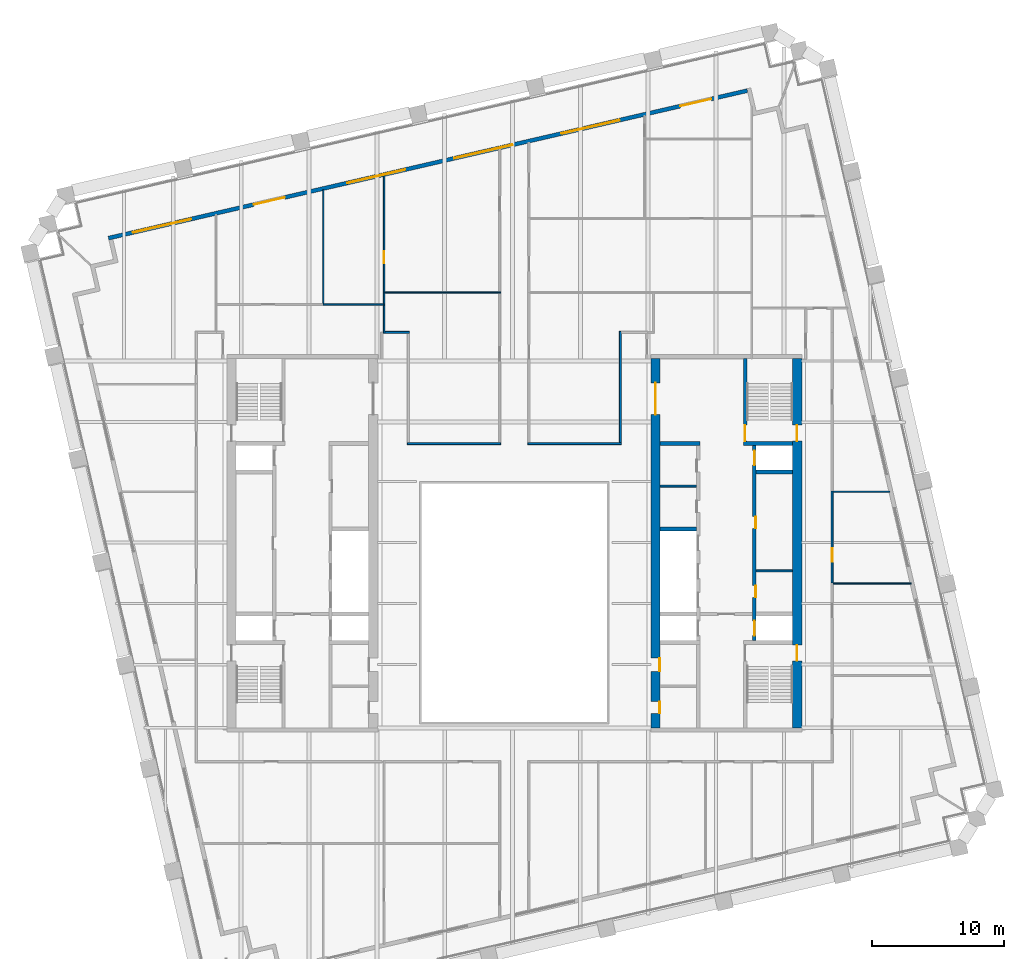
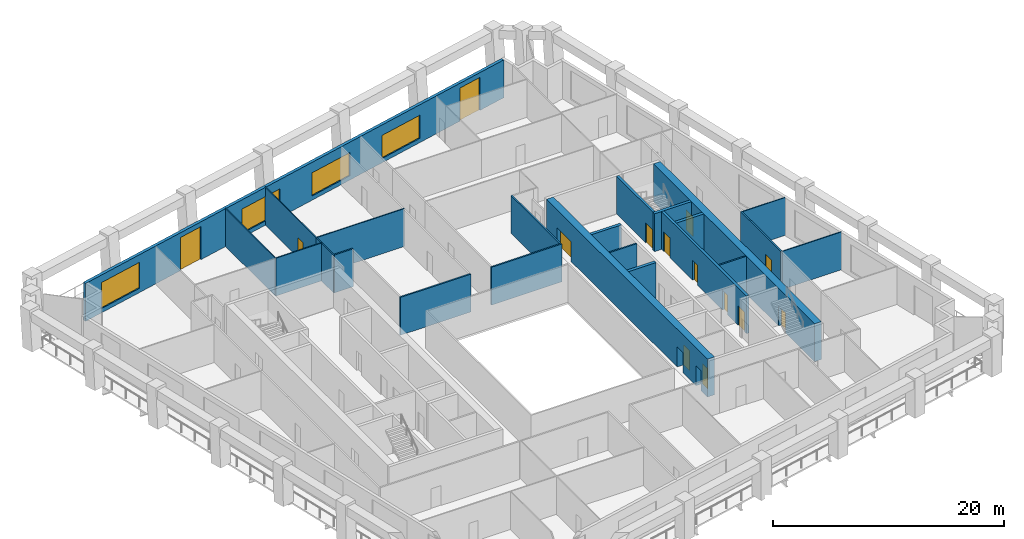
# One storey, part 7 of 10: 24 walls, 14 doors, 4 windows, 18 openings.
"""IFC4 building model written with IfcOpenShell, lengths in metres."""

import ifcopenshell
import ifcopenshell.guid

model = None  # the IFC model being written
_history = None  # IfcOwnerHistory: only IFC2X3 demands one
_inside = {}  # id of a spatial element -> (the spatial element, [elements in it])
_under = {}  # id of a project, library or spatial element -> (it, [spatial elements below it])
_declared = {}  # id of a project -> (the project, [libraries it declares])
_typed = {}  # id of a type object -> (the type object, [elements of that type])
_made_of = {}  # id of a material, layer set ... -> (it, [elements and type objects made of it])


def new_model(schema):
    """Start an empty IFC model of exactly this schema.

    Asked for "IFC4X3", IfcOpenShell would pick the latest addendum, in which some entities
    have other attributes; the version numbers below select the first issue.
    IFC2X3 requires an IfcOwnerHistory on every rooted entity: one is made here for all.
    """
    global model, _history
    if schema == "IFC4X3":
        model = ifcopenshell.file(schema_version=(4, 3, 0, 0))
    else:
        model = ifcopenshell.file(schema=schema)
    _inside.clear()
    _under.clear()
    _declared.clear()
    _typed.clear()
    _made_of.clear()
    _history = None
    if model.schema == "IFC2X3":
        org = make("IfcOrganization", Name="unknown")
        user = make(
            "IfcPersonAndOrganization",
            ThePerson=make("IfcPerson", FamilyName="unknown"),
            TheOrganization=org,
        )
        app = make(
            "IfcApplication",
            ApplicationDeveloper=org,
            Version="unknown",
            ApplicationFullName="unknown",
            ApplicationIdentifier="unknown",
        )
        _history = make(
            "IfcOwnerHistory",
            OwningUser=user,
            OwningApplication=app,
            ChangeAction="ADDED",
            CreationDate=0,
        )
    return model


def make(cls, **values):
    """One entity of the class cls with the attributes given. An attribute that is None is left unset."""
    return model.create_entity(
        cls, **{name: value for name, value in values.items() if value is not None}
    )


def rooted(cls, **values):
    """An entity with a GlobalId (a new one), such as an element, a storey or a relation."""
    return make(cls, GlobalId=ifcopenshell.guid.new(), OwnerHistory=_history, **values)


def si_unit(unit_type, name, prefix=None):
    """IfcSIUnit, for example si_unit("LENGTHUNIT", "METRE", prefix="MILLI")."""
    return make("IfcSIUnit", UnitType=unit_type, Prefix=prefix, Name=name)


def assignment(units):
    """IfcUnitAssignment: the units of a project."""
    return None if units is None else make("IfcUnitAssignment", Units=units)


def point(xyz):
    """IfcCartesianPoint."""
    return None if xyz is None else make("IfcCartesianPoint", Coordinates=xyz)


def direction(xyz):
    """IfcDirection."""
    return None if xyz is None else make("IfcDirection", DirectionRatios=xyz)


def frame(location, z_axis=None, x_axis=None):
    """IfcAxis2Placement3D, a coordinate frame: its origin and axes. An axis left out is left unset."""
    return make(
        "IfcAxis2Placement3D",
        Location=point(location),
        Axis=direction(z_axis),
        RefDirection=direction(x_axis),
    )


def frame_2d(location, x_axis=None):
    """IfcAxis2Placement2D, a coordinate frame in the plane: its origin and x axis."""
    return make(
        "IfcAxis2Placement2D", Location=point(location), RefDirection=direction(x_axis)
    )


def origin():
    """The frame at (0, 0, 0) with its axes left unset."""
    return frame((0.0, 0.0, 0.0))


def place(relative_to, where):
    """IfcLocalPlacement: puts the frame where relative to a parent placement (None: the world)."""
    return make(
        "IfcLocalPlacement", PlacementRelTo=relative_to, RelativePlacement=where
    )


def context(
    kind, dimensions, precision=None, world=None, true_north=None, identifier=None
):
    """IfcGeometricRepresentationContext, for example the 3D "Model" context."""
    return make(
        "IfcGeometricRepresentationContext",
        ContextIdentifier=identifier,
        ContextType=kind,
        CoordinateSpaceDimension=dimensions,
        Precision=precision,
        WorldCoordinateSystem=world,
        TrueNorth=true_north,
    )


def subcontext(parent, identifier, kind, view, scale=None):
    """IfcGeometricRepresentationSubContext, for example "Body" below "Model"."""
    return make(
        "IfcGeometricRepresentationSubContext",
        ContextIdentifier=identifier,
        ContextType=kind,
        ParentContext=parent,
        TargetScale=scale,
        TargetView=view,
    )


def project(units=None, contexts=None):
    """IfcProject with its units and contexts."""
    return rooted(
        "IfcProject",
        Name="project",
        RepresentationContexts=contexts,
        UnitsInContext=assignment(units),
    )


def spatial(cls, under=None, at=None, **own):
    """A site, building, storey or space (cls), placed at a placement, below another one or the project."""
    s = rooted(cls, ObjectPlacement=at, **own)
    if under is not None:
        _under.setdefault(under.id(), (under, []))[1].append(s)
    return s


def profile(cls, at=None, kind="AREA", **sizes):
    """A parametric profile (cls). Its sizes go by their IFC names, for example OverallWidth=200.0."""
    return make(cls, ProfileType=kind, Position=at, **sizes)


def rectangle(**sizes):
    """IfcRectangleProfileDef."""
    return profile("IfcRectangleProfileDef", **sizes)


def extrude(swept, where, along, depth):
    """IfcExtrudedAreaSolid: the profile swept, set in the frame where, extruded along a direction by depth."""
    return make(
        "IfcExtrudedAreaSolid",
        SweptArea=swept,
        Position=where,
        ExtrudedDirection=direction(along),
        Depth=depth,
    )


def shape(context_of_items, identifier, shape_type, items):
    """IfcShapeRepresentation: the items that make up one representation, for example the "Body"."""
    return make(
        "IfcShapeRepresentation",
        ContextOfItems=context_of_items,
        RepresentationIdentifier=identifier,
        RepresentationType=shape_type,
        Items=items,
    )


def material(Name=None, Category=None):
    """IfcMaterial."""
    return make("IfcMaterial", Name=Name, Category=Category)


def layer(
    of_material, thickness, ventilated=None, Name=None, Category=None, Priority=None
):
    """IfcMaterialLayer: one layer of a wall or slab, of a material (None: an air gap)."""
    return make(
        "IfcMaterialLayer",
        Material=of_material,
        LayerThickness=thickness,
        IsVentilated=ventilated,
        Name=Name,
        Category=Category,
        Priority=Priority,
    )


def layer_set(layers, Name=None):
    """IfcMaterialLayerSet."""
    return make("IfcMaterialLayerSet", MaterialLayers=layers, LayerSetName=Name)


def made_of(thing, what):
    """Note that an element or type object is made of a material, layer set ...; save() writes the relation."""
    if what is not None:
        _made_of.setdefault(what.id(), (what, []))[1].append(thing)
    return thing


def type_object(cls, material=None, **own):
    """A type object (cls), such as IfcWallType, which elements share."""
    return made_of(rooted(cls, **own), material)


def element(
    cls,
    number,
    at=None,
    inside=None,
    cuts=None,
    type_object=None,
    material=None,
    context=None,
    identifier="Body",
    shape_type=None,
    held_by="IfcProductDefinitionShape",
    body=None,
    shapes=None,
    **own,
):
    """One element of the class cls, such as IfcWall. Its Tag is "e" and its number.

    at: its placement. inside: the storey or other place that contains it. cuts: it is an
    opening in that element (IfcRelVoidsElement). A single representation is given by context,
    identifier, shape_type and body (its items); several are given by shapes. held_by: the class
    of the entity that holds the representations. save() writes the other relations.
    """
    e = rooted(cls, Tag="e%d" % number, ObjectPlacement=at, **own)
    if body is not None:
        shapes = [shape(context, identifier, shape_type, body)]
    if shapes is not None:
        e.Representation = make(held_by, Representations=shapes)
    if inside is not None:
        _inside.setdefault(inside.id(), (inside, []))[1].append(e)
    if cuts is not None:
        rooted(
            "IfcRelVoidsElement", RelatingBuildingElement=cuts, RelatedOpeningElement=e
        )
    if type_object is not None:
        _typed.setdefault(type_object.id(), (type_object, []))[1].append(e)
    return made_of(e, material)


def fill(opening, filler):
    """IfcRelFillsElement: the door or window that sits in an opening."""
    return rooted(
        "IfcRelFillsElement",
        RelatingOpeningElement=opening,
        RelatedBuildingElement=filler,
    )


def aggregate(whole, parts):
    """IfcRelAggregates: a whole, such as a stair, and the parts it consists of."""
    return rooted("IfcRelAggregates", RelatingObject=whole, RelatedObjects=parts)


def save(model, path):
    """Write the relations noted so far, then the file.

    IfcRelAggregates (storeys below a building ...), IfcRelContainedInSpatialStructure (elements
    in a storey), IfcRelDefinesByType, IfcRelAssociatesMaterial and IfcRelDeclares: one each for
    every whole, place, type object, material and project.
    """
    for whole, parts in _under.values():
        aggregate(whole, parts)
    for where, things in _inside.values():
        rooted(
            "IfcRelContainedInSpatialStructure",
            RelatedElements=things,
            RelatingStructure=where,
        )
    for kind, things in _typed.values():
        rooted("IfcRelDefinesByType", RelatedObjects=things, RelatingType=kind)
    for what, things in _made_of.values():
        rooted("IfcRelAssociatesMaterial", RelatedObjects=things, RelatingMaterial=what)
    for by, libraries in _declared.values():
        rooted("IfcRelDeclares", RelatingContext=by, RelatedDefinitions=libraries)
    model.write(path)


model = new_model("IFC4")

# Units and contexts
model_context = context("Model", 3, precision=1e-05, world=origin(), true_north=direction((0.0, 1.0)))
body_context = subcontext(model_context, "Body", "Model", "MODEL_VIEW")
ifc_project = project(units=[si_unit("LENGTHUNIT", "METRE"), si_unit("AREAUNIT", "SQUARE_METRE"), si_unit("VOLUMEUNIT", "CUBIC_METRE"), si_unit("PLANEANGLEUNIT", "RADIAN"), si_unit("MASSUNIT", "GRAM", prefix="KILO")], contexts=[model_context])

# Site, building, storey
site_placement = place(None, origin())
site = spatial("IfcSite", under=ifc_project, at=site_placement, CompositionType="ELEMENT")
building_placement = place(site_placement, origin())
building = spatial("IfcBuilding", under=site, at=building_placement, Name="Ogive Exchange Tower", CompositionType="ELEMENT")
storey_placement = place(building_placement, frame((0.0, 0.0, 180.0)))
storey = spatial("IfcBuildingStorey", under=building, at=storey_placement, Name="L39", CompositionType="ELEMENT", Elevation=180.0)

# Walls
ifc_material_1 = material(Name="Gypsum board partition")
ifc_layer_1 = layer(ifc_material_1, 0.14990234375)
ifc_layer_set_1 = layer_set([ifc_layer_1], Name="Core room partition 150 gypsum")
wall_type_1 = type_object("IfcWallType", Name="Core room partition 150 gypsum", PredefinedType="PARTITIONING", material=ifc_layer_set_1)
for number, where, z_axis, x_axis, name in (
    (1, (18.25, 9.39990234375, 0.0), (0.0, 0.0, 1.0), (1.0, 0.0, 0.0), "E row A bay partition 1-1"),
    (2, (11.0, 15.800048828125, 0.0), (0.0, 0.0, 1.0), (1.0, 0.0, 0.0), "E row B bay partition 4-1"),
):
    element("IfcWall", number, at=place(storey_placement, frame(where, z_axis=z_axis, x_axis=x_axis)), inside=storey, type_object=wall_type_1, Name=name, PredefinedType="PARTITIONING", context=body_context, shape_type="SweptSolid", body=[
        extrude(rectangle(XDim=2.75, YDim=0.14990234375, at=frame_2d((1.375, 0.0))), origin(), (0.0, 0.0, 1.0), 4.0),
    ])
ifc_layer_2 = layer(ifc_material_1, 0.300048828125)
ifc_layer_set_2 = layer_set([ifc_layer_2], Name="Core room partition 300 gypsum")
wall_type_2 = type_object("IfcWallType", Name="Core room partition 300 gypsum", PredefinedType="PARTITIONING", material=ifc_layer_set_2)
wall_1_placement = place(storey_placement, frame((11.0, 19.0, 0.0), z_axis=(0.0, 0.0, 1.0), x_axis=(1.0, 0.0, 0.0)))
element("IfcWall", 3, at=wall_1_placement, inside=storey, type_object=wall_type_2, Name="E row B room end wall 7", PredefinedType="PARTITIONING", context=body_context, shape_type="SweptSolid", body=[
    extrude(rectangle(XDim=3.0, YDim=0.300048828125, at=frame_2d((1.5, 0.0))), origin(), (0.0, 0.0, 1.0), 4.0),
])
ifc_material_2 = material(Name="Fire partition EI 60 150")
ifc_layer_3 = layer(ifc_material_2, 0.14990234375)
ifc_layer_set_3 = layer_set([ifc_layer_3], Name="Fire partition EI 60 150")
wall_type_3 = type_object("IfcWallType", Name="Fire partition EI 60 150", PredefinedType="PARTITIONING", material=ifc_layer_set_3)
wall_2_placement = place(storey_placement, frame((-9.780029296875, 27.39990234375, 0.0), z_axis=(0.0, 0.0, 1.0), x_axis=(1.0, 0.0, 0.0)))
element("IfcWall", 4, at=wall_2_placement, inside=storey, type_object=wall_type_3, Name="L39-PWL-025", PredefinedType="PARTITIONING", context=body_context, shape_type="SweptSolid", body=[
    extrude(rectangle(XDim=1.85498046875, YDim=0.14990234375, at=frame_2d((0.927490234375, 0.0))), origin(), (0.0, 0.0, 1.0), 4.0),
])
for number, where, z_axis, x_axis, name in (
    (5, (-8.074951171875, 19.0, 0.0), (0.0, 0.0, 1.0), (1.0, 0.0, 0.0), "L39-PWL-029"),
    (6, (1.02490234375, 19.0, 0.0), (0.0, 0.0, 1.0), (1.0, 0.0, 0.0), "L39-PWL-037"),
):
    element("IfcWall", number, at=place(storey_placement, frame(where, z_axis=z_axis, x_axis=x_axis)), inside=storey, type_object=wall_type_3, Name=name, PredefinedType="PARTITIONING", context=body_context, shape_type="SweptSolid", body=[
        extrude(rectangle(XDim=7.050048828125, YDim=0.14990234375, at=frame_2d((3.52490234375, 0.0))), origin(), (0.0, 0.0, 1.0), 4.0),
    ])
wall_3_placement = place(storey_placement, frame((8.0, 19.074951171875, 0.0), z_axis=(0.0, 0.0, 1.0), x_axis=(0.0, 1.0, 0.0)))
element("IfcWall", 7, at=wall_3_placement, inside=storey, type_object=wall_type_3, Name="L39-PWL-045", PredefinedType="PARTITIONING", context=body_context, shape_type="SweptSolid", body=[
    extrude(rectangle(XDim=8.400146484375, YDim=0.14990234375, at=frame_2d((4.2001953125, 0.0))), origin(), (0.0, 0.0, 1.0), 4.0),
])

# Wall, opening, door
wall_4_placement = place(storey_placement, frame((24.0, 15.429931640625, 0.0), z_axis=(0.0, 0.0, 1.0), x_axis=(0.0, -1.0, 0.0)))
wall_4 = element("IfcWall", 8, at=wall_4_placement, inside=storey, type_object=wall_type_3, Name="L39-PWL-079", PredefinedType="PARTITIONING", context=body_context, shape_type="SweptSolid", body=[
    extrude(rectangle(XDim=6.929931640625, YDim=0.14990234375, at=frame_2d((3.46484375, 0.0))), origin(), (0.0, 0.0, 1.0), 4.0),
])
opening_1_placement = place(wall_4_placement, frame((4.330078125, 0.0, 0.0)))
opening_1 = element("IfcOpeningElement", 9, at=opening_1_placement, cuts=wall_4, Name="Opening L39-I21", PredefinedType="OPENING", context=body_context, shape_type="SweptSolid", body=[
    extrude(rectangle(XDim=1.0, YDim=2.10009765625, at=frame_2d((0.5, 1.050048828125))), frame((0.0, 0.0849609375, 0.0), z_axis=(0.0, -1.0, 0.0), x_axis=(1.0, 0.0, 0.0)), (0.0, 0.0, 1.0), 0.169921875),
])
ifc_material_3 = material(Name="Fire door FD 30S 1000 x 2100")
door_type_1 = type_object("IfcDoorType", Name="Fire door FD 30S 1000 x 2100", OperationType="NOTDEFINED", PredefinedType="DOOR", material=ifc_material_3)
door_1_placement = place(opening_1_placement, origin())
door_1 = element("IfcDoor", 10, at=door_1_placement, inside=storey, type_object=door_type_1, Name="L39-IDR-021", ObjectType="DT3", OperationType="SINGLE_SWING_LEFT", OverallHeight=2.10009765625, OverallWidth=1.0, PredefinedType="DOOR", context=body_context, shape_type="SweptSolid", body=[
    extrude(rectangle(XDim=1.0, YDim=2.10009765625, at=frame_2d((0.5, 1.050048828125))), frame((0.0, 0.02490234375, 0.0), z_axis=(0.0, -1.0, 0.0), x_axis=(1.0, 0.0, 0.0)), (0.0, 0.0, 1.0), 0.050048828125),
])
fill(opening_1, door_1)

# Wall, openings, doors, windows
ifc_material_4 = material(Name="Precast concrete C40/50", Category="concrete")
ifc_layer_4 = layer(ifc_material_4, 0.300048828125)
ifc_layer_set_4 = layer_set([ifc_layer_4], Name="Limestone-faced wall 300")
wall_type_4 = type_object("IfcWallType", Name="Limestone-faced wall 300", PredefinedType="STANDARD", material=ifc_layer_set_4)
wall_5_placement = place(storey_placement, frame((17.592041015625, 45.6572265625, 0.0), z_axis=(0.0, 0.0, 1.0), x_axis=(-0.974370243697, -0.224950279389, 0.0)))
wall_5 = element("IfcWall", 11, at=wall_5_placement, inside=storey, type_object=wall_type_4, Name="External wall N3", PredefinedType="STANDARD", context=body_context, shape_type="SweptSolid", body=[
    extrude(rectangle(XDim=49.499755859375, YDim=0.300048828125, at=frame_2d((24.75, 0.0))), origin(), (0.0, 0.0, 1.0), 4.0),
])
opening_2_placement = place(wall_5_placement, frame((2.800048828125, 0.0, 0.0)))
opening_2 = element("IfcOpeningElement", 12, at=opening_2_placement, cuts=wall_5, Name="Opening D1", PredefinedType="OPENING", context=body_context, shape_type="SweptSolid", body=[
    extrude(rectangle(XDim=2.39990234375, YDim=3.5, at=frame_2d((1.199951171875, 1.75))), frame((0.0, 0.159912109375, 0.0), z_axis=(0.0, -1.0, 0.0), x_axis=(1.0, 0.0, 0.0)), (0.0, 0.0, 1.0), 0.320068359375),
])
opening_3_placement = place(wall_5_placement, frame((9.89990234375, 0.0, 0.449951171875)))
opening_3 = element("IfcOpeningElement", 13, at=opening_3_placement, cuts=wall_5, Name="Opening W1Q", PredefinedType="OPENING", context=body_context, shape_type="SweptSolid", body=[
    extrude(rectangle(XDim=4.5, YDim=2.449951171875, at=frame_2d((2.25, 1.22509765625))), frame((0.0, 0.159912109375, 0.0), z_axis=(0.0, -1.0, 0.0), x_axis=(1.0, 0.0, 0.0)), (0.0, 0.0, 1.0), 0.320068359375),
])
opening_4_placement = place(wall_5_placement, frame((18.199951171875, 0.0, 0.449951171875)))
opening_4 = element("IfcOpeningElement", 14, at=opening_4_placement, cuts=wall_5, Name="Opening W1Q", PredefinedType="OPENING", context=body_context, shape_type="SweptSolid", body=[
    extrude(rectangle(XDim=4.5, YDim=2.449951171875, at=frame_2d((2.25, 1.22509765625))), frame((0.0, 0.159912109375, 0.0), z_axis=(0.0, -1.0, 0.0), x_axis=(1.0, 0.0, 0.0)), (0.0, 0.0, 1.0), 0.320068359375),
])
opening_5_placement = place(wall_5_placement, frame((26.5, 0.0, 0.449951171875)))
opening_5 = element("IfcOpeningElement", 15, at=opening_5_placement, cuts=wall_5, Name="Opening W1M", PredefinedType="OPENING", context=body_context, shape_type="SweptSolid", body=[
    extrude(rectangle(XDim=4.5, YDim=2.574951171875, at=frame_2d((2.25, 1.28759765625))), frame((0.0, 0.159912109375, 0.0), z_axis=(0.0, -1.0, 0.0), x_axis=(1.0, 0.0, 0.0)), (0.0, 0.0, 1.0), 0.320068359375),
])
opening_6_placement = place(wall_5_placement, frame((35.85009765625, 0.0, 0.0)))
opening_6 = element("IfcOpeningElement", 16, at=opening_6_placement, cuts=wall_5, Name="Opening D1", PredefinedType="OPENING", context=body_context, shape_type="SweptSolid", body=[
    extrude(rectangle(XDim=2.39990234375, YDim=3.5, at=frame_2d((1.199951171875, 1.75))), frame((0.0, 0.159912109375, 0.0), z_axis=(0.0, -1.0, 0.0), x_axis=(1.0, 0.0, 0.0)), (0.0, 0.0, 1.0), 0.320068359375),
])
opening_7_placement = place(wall_5_placement, frame((43.10009765625, 0.0, 0.449951171875)))
opening_7 = element("IfcOpeningElement", 17, at=opening_7_placement, cuts=wall_5, Name="Opening W1H", PredefinedType="OPENING", context=body_context, shape_type="SweptSolid", body=[
    extrude(rectangle(XDim=4.5, YDim=2.75, at=frame_2d((2.25, 1.375))), frame((0.0, 0.159912109375, 0.0), z_axis=(0.0, -1.0, 0.0), x_axis=(1.0, 0.0, 0.0)), (0.0, 0.0, 1.0), 0.320068359375),
])
ifc_material_5 = material(Name="Clear glass in bronze frame", Category="glass")
door_type_2 = type_object("IfcDoorType", Name="Sliding loggia door 2400 x 3500", OperationType="DOUBLE_DOOR_SLIDING", PredefinedType="DOOR", material=ifc_material_5)
door_2_placement = place(opening_2_placement, origin())
door_2 = element("IfcDoor", 18, at=door_2_placement, inside=storey, type_object=door_type_2, Name="Loggia door N00", OperationType="DOUBLE_DOOR_SLIDING", OverallHeight=3.5, OverallWidth=2.39990234375, PredefinedType="DOOR", context=body_context, shape_type="SweptSolid", body=[
    extrude(rectangle(XDim=2.39990234375, YDim=3.5, at=frame_2d((1.199951171875, 1.75))), frame((0.0, 0.02490234375, 0.0), z_axis=(0.0, -1.0, 0.0), x_axis=(1.0, 0.0, 0.0)), (0.0, 0.0, 1.0), 0.050048828125),
])
fill(opening_2, door_2)
door_3_placement = place(opening_6_placement, origin())
door_3 = element("IfcDoor", 19, at=door_3_placement, inside=storey, type_object=door_type_2, Name="Loggia door N04", OperationType="DOUBLE_DOOR_SLIDING", OverallHeight=3.5, OverallWidth=2.39990234375, PredefinedType="DOOR", context=body_context, shape_type="SweptSolid", body=[
    extrude(rectangle(XDim=2.39990234375, YDim=3.5, at=frame_2d((1.199951171875, 1.75))), frame((0.0, 0.02490234375, 0.0), z_axis=(0.0, -1.0, 0.0), x_axis=(1.0, 0.0, 0.0)), (0.0, 0.0, 1.0), 0.050048828125),
])
fill(opening_6, door_3)
window_type_1 = type_object("IfcWindowType", Name="Twin lancet window 4500 x 2450", PartitioningType="DOUBLE_PANEL_VERTICAL", PredefinedType="WINDOW", material=ifc_material_5)
window_1_placement = place(opening_3_placement, origin())
window_1 = element("IfcWindow", 20, at=window_1_placement, inside=storey, type_object=window_type_1, Name="Window N01", OverallHeight=2.449951171875, OverallWidth=4.5, PartitioningType="DOUBLE_PANEL_VERTICAL", PredefinedType="WINDOW", context=body_context, shape_type="SweptSolid", body=[
    extrude(rectangle(XDim=4.5, YDim=2.449951171875, at=frame_2d((2.25, 1.22509765625))), frame((0.0, 0.030029296875, 0.0), z_axis=(0.0, -1.0, 0.0), x_axis=(1.0, 0.0, 0.0)), (0.0, 0.0, 1.0), 0.06005859375),
])
fill(opening_3, window_1)
window_2_placement = place(opening_4_placement, origin())
window_2 = element("IfcWindow", 21, at=window_2_placement, inside=storey, type_object=window_type_1, Name="Window N02", OverallHeight=2.449951171875, OverallWidth=4.5, PartitioningType="DOUBLE_PANEL_VERTICAL", PredefinedType="WINDOW", context=body_context, shape_type="SweptSolid", body=[
    extrude(rectangle(XDim=4.5, YDim=2.449951171875, at=frame_2d((2.25, 1.22509765625))), frame((0.0, 0.030029296875, 0.0), z_axis=(0.0, -1.0, 0.0), x_axis=(1.0, 0.0, 0.0)), (0.0, 0.0, 1.0), 0.06005859375),
])
fill(opening_4, window_2)
window_type_2 = type_object("IfcWindowType", Name="Twin lancet window 4500 x 2575", PartitioningType="DOUBLE_PANEL_VERTICAL", PredefinedType="WINDOW", material=ifc_material_5)
window_3_placement = place(opening_5_placement, origin())
window_3 = element("IfcWindow", 22, at=window_3_placement, inside=storey, type_object=window_type_2, Name="Window N03", OverallHeight=2.574951171875, OverallWidth=4.5, PartitioningType="DOUBLE_PANEL_VERTICAL", PredefinedType="WINDOW", context=body_context, shape_type="SweptSolid", body=[
    extrude(rectangle(XDim=4.5, YDim=2.574951171875, at=frame_2d((2.25, 1.28759765625))), frame((0.0, 0.030029296875, 0.0), z_axis=(0.0, -1.0, 0.0), x_axis=(1.0, 0.0, 0.0)), (0.0, 0.0, 1.0), 0.06005859375),
])
fill(opening_5, window_3)
window_type_3 = type_object("IfcWindowType", Name="Twin lancet window 4500 x 2750", PartitioningType="DOUBLE_PANEL_VERTICAL", PredefinedType="WINDOW", material=ifc_material_5)
window_4_placement = place(opening_7_placement, origin())
window_4 = element("IfcWindow", 23, at=window_4_placement, inside=storey, type_object=window_type_3, Name="Window N05", OverallHeight=2.75, OverallWidth=4.5, PartitioningType="DOUBLE_PANEL_VERTICAL", PredefinedType="WINDOW", context=body_context, shape_type="SweptSolid", body=[
    extrude(rectangle(XDim=4.5, YDim=2.75, at=frame_2d((2.25, 1.375))), frame((0.0, 0.030029296875, 0.0), z_axis=(0.0, -1.0, 0.0), x_axis=(1.0, 0.0, 0.0)), (0.0, 0.0, 1.0), 0.06005859375),
])
fill(opening_7, window_4)

# Walls
ifc_material_6 = material(Name="Partition 100 gypsum")
ifc_layer_5 = layer(ifc_material_6, 0.10009765625)
ifc_layer_set_5 = layer_set([ifc_layer_5], Name="Partition 100 gypsum")
wall_type_5 = type_object("IfcWallType", Name="Partition 100 gypsum", PredefinedType="PARTITIONING", material=ifc_layer_set_5)
wall_6_placement = place(storey_placement, frame((-14.429931640625, 29.550048828125, 0.0), z_axis=(0.0, 0.0, 1.0), x_axis=(0.0, 1.0, 0.0)))
element("IfcWall", 24, at=wall_6_placement, inside=storey, type_object=wall_type_5, Name="L39-PWL-016", PredefinedType="PARTITIONING", context=body_context, shape_type="SweptSolid", body=[
    extrude(rectangle(XDim=8.64306640625, YDim=0.10009765625, at=frame_2d((4.321533203125, 0.0))), origin(), (0.0, 0.0, 1.0), 4.0),
])
wall_7_placement = place(storey_placement, frame((-14.429931640625, 29.5, 0.0), z_axis=(0.0, 0.0, 1.0), x_axis=(1.0, 0.0, 0.0)))
element("IfcWall", 25, at=wall_7_placement, inside=storey, type_object=wall_type_5, Name="L39-PWL-017", PredefinedType="PARTITIONING", context=body_context, shape_type="SweptSolid", body=[
    extrude(rectangle(XDim=4.64990234375, YDim=0.10009765625, at=frame_2d((2.324951171875, 0.0))), origin(), (0.0, 0.0, 1.0), 4.0),
])
wall_8_placement = place(storey_placement, frame((-9.830078125, 27.324951171875, 0.0), z_axis=(0.0, 0.0, 1.0), x_axis=(0.0, 1.0, 0.0)))
element("IfcWall", 26, at=wall_8_placement, inside=storey, type_object=wall_type_5, Name="L39-PWL-024", PredefinedType="PARTITIONING", context=body_context, shape_type="SweptSolid", body=[
    extrude(rectangle(XDim=2.125, YDim=0.10009765625, at=frame_2d((1.0625, 0.0))), origin(), (0.0, 0.0, 1.0), 4.0),
])
wall_9_placement = place(storey_placement, frame((-9.830078125, 29.550048828125, 0.0), z_axis=(0.0, 0.0, 1.0), x_axis=(0.0, 1.0, 0.0)))
element("IfcWall", 27, at=wall_9_placement, inside=storey, type_object=wall_type_5, Name="L39-PWL-026", PredefinedType="PARTITIONING", context=body_context, shape_type="SweptSolid", body=[
    extrude(rectangle(XDim=0.820068359375, YDim=0.10009765625, at=frame_2d((0.41015625, 0.0))), origin(), (0.0, 0.0, 1.0), 4.0),
])

# Wall, opening, door
wall_10_placement = place(storey_placement, frame((-9.830078125, 30.3701171875, 0.0), z_axis=(0.0, 0.0, 1.0), x_axis=(0.0, 1.0, 0.0)))
wall_10 = element("IfcWall", 28, at=wall_10_placement, inside=storey, type_object=wall_type_5, Name="L39-PWL-027", PredefinedType="PARTITIONING", context=body_context, shape_type="SweptSolid", body=[
    extrude(rectangle(XDim=8.884765625, YDim=0.10009765625, at=frame_2d((4.4423828125, 0.0))), origin(), (0.0, 0.0, 1.0), 4.0),
])
opening_8_placement = place(wall_10_placement, frame((2.260009765625, 0.0, 0.0)))
opening_8 = element("IfcOpeningElement", 29, at=opening_8_placement, cuts=wall_10, Name="Opening L39-I06", PredefinedType="OPENING", context=body_context, shape_type="SweptSolid", body=[
    extrude(rectangle(XDim=0.89990234375, YDim=2.10009765625, at=frame_2d((0.449951171875, 1.050048828125))), frame((0.0, 0.06005859375, 0.0), z_axis=(0.0, -1.0, 0.0), x_axis=(1.0, 0.0, 0.0)), (0.0, 0.0, 1.0), 0.1201171875),
])
ifc_material_7 = material(Name="Door 900 x 2100")
door_type_3 = type_object("IfcDoorType", Name="Door 900 x 2100", OperationType="NOTDEFINED", PredefinedType="DOOR", material=ifc_material_7)
door_4_placement = place(opening_8_placement, origin())
door_4 = element("IfcDoor", 30, at=door_4_placement, inside=storey, type_object=door_type_3, Name="L39-IDR-006", ObjectType="DT1", OperationType="SINGLE_SWING_RIGHT", OverallHeight=2.10009765625, OverallWidth=0.89990234375, PredefinedType="DOOR", context=body_context, shape_type="SweptSolid", body=[
    extrude(rectangle(XDim=0.89990234375, YDim=2.10009765625, at=frame_2d((0.449951171875, 1.050048828125))), frame((0.0, 0.02490234375, 0.0), z_axis=(0.0, -1.0, 0.0), x_axis=(1.0, 0.0, 0.0)), (0.0, 0.0, 1.0), 0.050048828125),
])
fill(opening_8, door_4)

# Walls
wall_11_placement = place(storey_placement, frame((-9.780029296875, 30.419921875, 0.0), z_axis=(0.0, 0.0, 1.0), x_axis=(1.0, 0.0, 0.0)))
element("IfcWall", 31, at=wall_11_placement, inside=storey, type_object=wall_type_5, Name="L39-PWL-028", PredefinedType="PARTITIONING", context=body_context, shape_type="SweptSolid", body=[
    extrude(rectangle(XDim=8.755126953125, YDim=0.10009765625, at=frame_2d((4.37744140625, 0.0))), origin(), (0.0, 0.0, 1.0), 4.0),
])
wall_12_placement = place(storey_placement, frame((24.074951171875, 8.449951171875, 0.0), z_axis=(0.0, 0.0, 1.0), x_axis=(1.0, 0.0, 0.0)))
element("IfcWall", 32, at=wall_12_placement, inside=storey, type_object=wall_type_5, Name="L39-PWL-078", PredefinedType="PARTITIONING", context=body_context, shape_type="SweptSolid", body=[
    extrude(rectangle(XDim=5.884033203125, YDim=0.10009765625, at=frame_2d((2.94189453125, 0.0))), origin(), (0.0, 0.0, 1.0), 4.0),
])
wall_13_placement = place(storey_placement, frame((24.074951171875, 15.3798828125, 0.0), z_axis=(0.0, 0.0, 1.0), x_axis=(1.0, 0.0, 0.0)))
element("IfcWall", 33, at=wall_13_placement, inside=storey, type_object=wall_type_5, Name="L39-PWL-080", PredefinedType="PARTITIONING", context=body_context, shape_type="SweptSolid", body=[
    extrude(rectangle(XDim=4.28515625, YDim=0.10009765625, at=frame_2d((2.142578125, 0.0))), origin(), (0.0, 0.0, 1.0), 4.0),
])

# Wall, opening, door
ifc_material_8 = material(Name="Concrete C70/85", Category="concrete")
ifc_layer_6 = layer(ifc_material_8, 0.25)
ifc_layer_set_6 = layer_set([ifc_layer_6], Name="RC core wall 250 C70/85")
wall_type_6 = type_object("IfcWallType", Name="RC core wall 250 C70/85", PredefinedType="SHEAR", material=ifc_layer_set_6)
wall_14_placement = place(storey_placement, frame((17.425048828125, 19.14990234375, 0.0), z_axis=(0.0, 0.0, 1.0), x_axis=(0.0, 1.0, 0.0)))
wall_14 = element("IfcWall", 34, at=wall_14_placement, inside=storey, type_object=wall_type_6, Name="E stair N front wall", PredefinedType="SHEAR", context=body_context, shape_type="SweptSolid", body=[
    extrude(rectangle(XDim=6.300048828125, YDim=0.25, at=frame_2d((3.14990234375, 0.0))), origin(), (0.0, 0.0, 1.0), 4.0),
])
opening_9_placement = place(wall_14_placement, frame((0.050048828125, 0.0, 0.0)))
opening_9 = element("IfcOpeningElement", 35, at=opening_9_placement, cuts=wall_14, Name="Opening L39-C31", PredefinedType="OPENING", context=body_context, shape_type="SweptSolid", body=[
    extrude(rectangle(XDim=1.199951171875, YDim=2.10009765625, at=frame_2d((0.60009765625, 1.050048828125))), frame((0.0, 0.135009765625, 0.0), z_axis=(0.0, -1.0, 0.0), x_axis=(1.0, 0.0, 0.0)), (0.0, 0.0, 1.0), 0.27001953125),
])
ifc_material_9 = material(Name="Steel fire door", Category="steel")
door_type_4 = type_object("IfcDoorType", Name="Stair door FD90 1200 x 2100", OperationType="NOTDEFINED", PredefinedType="DOOR", material=ifc_material_9)
door_5_placement = place(opening_9_placement, frame((1.199951171875, 0.0, 0.0), z_axis=(0.0, 0.0, 1.0), x_axis=(-1.0, 0.0, 0.0)))
door_5 = element("IfcDoor", 36, at=door_5_placement, inside=storey, type_object=door_type_4, Name="Stair door", ObjectType="CD5", OperationType="SINGLE_SWING_LEFT", OverallHeight=2.10009765625, OverallWidth=1.199951171875, PredefinedType="DOOR", context=body_context, shape_type="SweptSolid", body=[
    extrude(rectangle(XDim=1.199951171875, YDim=2.10009765625, at=frame_2d((0.60009765625, 1.050048828125))), frame((0.0, 0.02490234375, 0.0), z_axis=(0.0, -1.0, 0.0), x_axis=(1.0, 0.0, 0.0)), (0.0, 0.0, 1.0), 0.050048828125),
])
fill(opening_9, door_5)

# Wall, openings, doors
wall_15_placement = place(storey_placement, frame((18.125, 4.14990234375, 0.0), z_axis=(0.0, 0.0, 1.0), x_axis=(0.0, 1.0, 0.0)))
wall_15 = element("IfcWall", 37, at=wall_15_placement, inside=storey, type_object=wall_type_6, Name="E row A front wall", PredefinedType="SHEAR", context=body_context, shape_type="SweptSolid", body=[
    extrude(rectangle(XDim=14.7001953125, YDim=0.25, at=frame_2d((7.35009765625, 0.0))), origin(), (0.0, 0.0, 1.0), 4.0),
])
opening_10_placement = place(wall_15_placement, frame((3.246337890625, 0.0, 0.0)))
opening_10 = element("IfcOpeningElement", 38, at=opening_10_placement, cuts=wall_15, Name="Opening L39-C17", PredefinedType="OPENING", context=body_context, shape_type="SweptSolid", body=[
    extrude(rectangle(XDim=0.89990234375, YDim=2.10009765625, at=frame_2d((0.449951171875, 1.050048828125))), frame((0.0, 0.135009765625, 0.0), z_axis=(0.0, -1.0, 0.0), x_axis=(1.0, 0.0, 0.0)), (0.0, 0.0, 1.0), 0.27001953125),
])
opening_11_placement = place(wall_15_placement, frame((8.45361328125, 0.0, 0.0)))
opening_11 = element("IfcOpeningElement", 39, at=opening_11_placement, cuts=wall_15, Name="Opening L39-C18", PredefinedType="OPENING", context=body_context, shape_type="SweptSolid", body=[
    extrude(rectangle(XDim=0.89990234375, YDim=2.10009765625, at=frame_2d((0.449951171875, 1.050048828125))), frame((0.0, 0.135009765625, 0.0), z_axis=(0.0, -1.0, 0.0), x_axis=(1.0, 0.0, 0.0)), (0.0, 0.0, 1.0), 0.27001953125),
])
opening_12_placement = place(wall_15_placement, frame((0.371337890625, 0.0, 0.0)))
opening_12 = element("IfcOpeningElement", 40, at=opening_12_placement, cuts=wall_15, Name="Opening L39-C19", PredefinedType="OPENING", context=body_context, shape_type="SweptSolid", body=[
    extrude(rectangle(XDim=1.10009765625, YDim=2.10009765625, at=frame_2d((0.550048828125, 1.050048828125))), frame((0.0, 0.135009765625, 0.0), z_axis=(0.0, -1.0, 0.0), x_axis=(1.0, 0.0, 0.0)), (0.0, 0.0, 1.0), 0.27001953125),
])
opening_13_placement = place(wall_15_placement, frame((13.228515625, 0.0, 0.0)))
opening_13 = element("IfcOpeningElement", 41, at=opening_13_placement, cuts=wall_15, Name="Opening L39-C20", PredefinedType="OPENING", context=body_context, shape_type="SweptSolid", body=[
    extrude(rectangle(XDim=1.10009765625, YDim=2.10009765625, at=frame_2d((0.550048828125, 1.050048828125))), frame((0.0, 0.135009765625, 0.0), z_axis=(0.0, -1.0, 0.0), x_axis=(1.0, 0.0, 0.0)), (0.0, 0.0, 1.0), 0.27001953125),
])
ifc_material_10 = material(Name="Timber fire door", Category="wood")
door_type_5 = type_object("IfcDoorType", Name="Core room door FD30S 900 x 2100", OperationType="NOTDEFINED", PredefinedType="DOOR", material=ifc_material_10)
door_6_placement = place(opening_11_placement, frame((0.89990234375, -0.2001953125, 0.0), z_axis=(0.0, 0.0, 1.0), x_axis=(-1.0, 0.0, 0.0)))
door_6 = element("IfcDoor", 42, at=door_6_placement, inside=storey, type_object=door_type_5, Name="Core room door", ObjectType="CD6", OperationType="SINGLE_SWING_RIGHT", OverallHeight=2.10009765625, OverallWidth=0.89990234375, PredefinedType="DOOR", context=body_context, shape_type="SweptSolid", body=[
    extrude(rectangle(XDim=0.89990234375, YDim=2.10009765625, at=frame_2d((0.449951171875, 1.050048828125))), frame((0.0, -0.0751953125, 0.0), z_axis=(0.0, -1.0, 0.0), x_axis=(1.0, 0.0, 0.0)), (0.0, 0.0, 1.0), 0.050048828125),
])
fill(opening_11, door_6)
ifc_material_11 = material(Name="Stainless steel", Category="steel")
door_type_6 = type_object("IfcDoorType", Name="Lift landing door FD90 1100 x 2100", OperationType="SLIDING_TO_LEFT", PredefinedType="DOOR", material=ifc_material_11)
door_7_placement = place(opening_12_placement, origin())
door_7 = element("IfcDoor", 43, at=door_7_placement, inside=storey, type_object=door_type_6, Name="Lift landing door FF2", ObjectType="LD", OperationType="SLIDING_TO_LEFT", OverallHeight=2.10009765625, OverallWidth=1.10009765625, PredefinedType="DOOR", context=body_context, shape_type="SweptSolid", body=[
    extrude(rectangle(XDim=1.10009765625, YDim=2.10009765625, at=frame_2d((0.550048828125, 1.050048828125))), frame((0.0, 0.02490234375, 0.0), z_axis=(0.0, -1.0, 0.0), x_axis=(1.0, 0.0, 0.0)), (0.0, 0.0, 1.0), 0.050048828125),
])
fill(opening_12, door_7)
door_8_placement = place(opening_13_placement, origin())
door_8 = element("IfcDoor", 44, at=door_8_placement, inside=storey, type_object=door_type_6, Name="Lift landing door E-SH2", ObjectType="LD", OperationType="SLIDING_TO_LEFT", OverallHeight=2.10009765625, OverallWidth=1.10009765625, PredefinedType="DOOR", context=body_context, shape_type="SweptSolid", body=[
    extrude(rectangle(XDim=1.10009765625, YDim=2.10009765625, at=frame_2d((0.550048828125, 1.050048828125))), frame((0.0, 0.02490234375, 0.0), z_axis=(0.0, -1.0, 0.0), x_axis=(1.0, 0.0, 0.0)), (0.0, 0.0, 1.0), 0.050048828125),
])
fill(opening_13, door_8)
door_type_7 = type_object("IfcDoorType", Name="Riser door FD60 900 x 2100", OperationType="NOTDEFINED", PredefinedType="DOOR", material=ifc_material_9)
door_9_placement = place(opening_10_placement, frame((0.89990234375, -0.2001953125, 0.0), z_axis=(0.0, 0.0, 1.0), x_axis=(-1.0, 0.0, 0.0)))
door_9 = element("IfcDoor", 45, at=door_9_placement, inside=storey, type_object=door_type_7, Name="Riser door", ObjectType="CD2", OperationType="SINGLE_SWING_LEFT", OverallHeight=2.10009765625, OverallWidth=0.89990234375, PredefinedType="DOOR", context=body_context, shape_type="SweptSolid", body=[
    extrude(rectangle(XDim=0.89990234375, YDim=2.10009765625, at=frame_2d((0.449951171875, 1.050048828125))), frame((0.0, -0.0751953125, 0.0), z_axis=(0.0, -1.0, 0.0), x_axis=(1.0, 0.0, 0.0)), (0.0, 0.0, 1.0), 0.050048828125),
])
fill(opening_10, door_9)

# Walls
ifc_layer_7 = layer(ifc_material_8, 0.300048828125)
ifc_layer_set_7 = layer_set([ifc_layer_7], Name="RC core wall 300 C70/85")
wall_type_7 = type_object("IfcWallType", Name="RC core wall 300 C70/85", PredefinedType="SHEAR", material=ifc_layer_set_7)
wall_16_placement = place(storey_placement, frame((17.300048828125, 19.0, 0.0), z_axis=(0.0, 0.0, 1.0), x_axis=(1.0, 0.0, 0.0)))
element("IfcWall", 46, at=wall_16_placement, inside=storey, type_object=wall_type_7, Name="E stair N south wall", PredefinedType="SHEAR", context=body_context, shape_type="SweptSolid", body=[
    extrude(rectangle(XDim=3.699951171875, YDim=0.300048828125, at=frame_2d((1.85009765625, 0.0))), origin(), (0.0, 0.0, 1.0), 4.0),
])
for number, where, z_axis, x_axis, name in (
    (47, (18.25, 16.857177734375, 0.0), (0.0, 0.0, 1.0), (1.0, 0.0, 0.0), "E row A divider 6"),
    (48, (11.0, 12.5712890625, 0.0), (0.0, 0.0, 1.0), (1.0, 0.0, 0.0), "E row B divider 4"),
):
    element("IfcWall", number, at=place(storey_placement, frame(where, z_axis=z_axis, x_axis=x_axis)), inside=storey, type_object=wall_type_7, Name=name, PredefinedType="SHEAR", context=body_context, shape_type="SweptSolid", body=[
        extrude(rectangle(XDim=2.75, YDim=0.300048828125, at=frame_2d((1.375, 0.0))), origin(), (0.0, 0.0, 1.0), 4.0),
    ])

# Wall, openings, doors
ifc_layer_8 = layer(ifc_material_8, 0.699951171875)
ifc_layer_set_8 = layer_set([ifc_layer_8], Name="RC core wall 700 C70/85")
wall_type_8 = type_object("IfcWallType", Name="RC core wall 700 C70/85", PredefinedType="SHEAR", material=ifc_layer_set_8)
wall_17_placement = place(storey_placement, frame((21.35009765625, -2.449951171875, 0.0), z_axis=(0.0, 0.0, 1.0), x_axis=(0.0, 1.0, 0.0)))
wall_17 = element("IfcWall", 49, at=wall_17_placement, inside=storey, type_object=wall_type_8, Name="E outer wall", PredefinedType="SHEAR", context=body_context, shape_type="SweptSolid", body=[
    extrude(rectangle(XDim=27.89990234375, YDim=0.699951171875, at=frame_2d((13.949951171875, 0.0))), origin(), (0.0, 0.0, 1.0), 4.0),
])
opening_14_placement = place(wall_17_placement, frame((5.050048828125, 0.0, 0.0)))
opening_14 = element("IfcOpeningElement", 50, at=opening_14_placement, cuts=wall_17, Name="Opening L39-C30", PredefinedType="OPENING", context=body_context, shape_type="SweptSolid", body=[
    extrude(rectangle(XDim=1.199951171875, YDim=2.10009765625, at=frame_2d((0.60009765625, 1.050048828125))), frame((0.0, 0.35986328125, 0.0), z_axis=(0.0, -1.0, 0.0), x_axis=(1.0, 0.0, 0.0)), (0.0, 0.0, 1.0), 0.719970703125),
])
opening_15_placement = place(wall_17_placement, frame((21.64990234375, 0.0, 0.0)))
opening_15 = element("IfcOpeningElement", 51, at=opening_15_placement, cuts=wall_17, Name="Opening L39-C32", PredefinedType="OPENING", context=body_context, shape_type="SweptSolid", body=[
    extrude(rectangle(XDim=1.199951171875, YDim=2.10009765625, at=frame_2d((0.60009765625, 1.050048828125))), frame((0.0, 0.35986328125, 0.0), z_axis=(0.0, -1.0, 0.0), x_axis=(1.0, 0.0, 0.0)), (0.0, 0.0, 1.0), 0.719970703125),
])
door_10_placement = place(opening_14_placement, origin())
door_10 = element("IfcDoor", 52, at=door_10_placement, inside=storey, type_object=door_type_4, Name="Stair door", ObjectType="CD5", OperationType="SINGLE_SWING_LEFT", OverallHeight=2.10009765625, OverallWidth=1.199951171875, PredefinedType="DOOR", context=body_context, shape_type="SweptSolid", body=[
    extrude(rectangle(XDim=1.199951171875, YDim=2.10009765625, at=frame_2d((0.60009765625, 1.050048828125))), frame((0.0, 0.02490234375, 0.0), z_axis=(0.0, -1.0, 0.0), x_axis=(1.0, 0.0, 0.0)), (0.0, 0.0, 1.0), 0.050048828125),
])
fill(opening_14, door_10)
door_11_placement = place(opening_15_placement, origin())
door_11 = element("IfcDoor", 53, at=door_11_placement, inside=storey, type_object=door_type_4, Name="Stair door", ObjectType="CD5", OperationType="SINGLE_SWING_RIGHT", OverallHeight=2.10009765625, OverallWidth=1.199951171875, PredefinedType="DOOR", context=body_context, shape_type="SweptSolid", body=[
    extrude(rectangle(XDim=1.199951171875, YDim=2.10009765625, at=frame_2d((0.60009765625, 1.050048828125))), frame((0.0, 0.02490234375, 0.0), z_axis=(0.0, -1.0, 0.0), x_axis=(1.0, 0.0, 0.0)), (0.0, 0.0, 1.0), 0.050048828125),
])
fill(opening_15, door_11)

wall_18_placement = place(storey_placement, frame((10.64990234375, -2.449951171875, 0.0), z_axis=(0.0, 0.0, 1.0), x_axis=(0.0, 1.0, 0.0)))
wall_18 = element("IfcWall", 54, at=wall_18_placement, inside=storey, type_object=wall_type_8, Name="E inner wall", PredefinedType="SHEAR", context=body_context, shape_type="SweptSolid", body=[
    extrude(rectangle(XDim=27.89990234375, YDim=0.699951171875, at=frame_2d((13.949951171875, 0.0))), origin(), (0.0, 0.0, 1.0), 4.0),
])
opening_16_placement = place(wall_18_placement, frame((23.64990234375, 0.0, 0.0)))
opening_16 = element("IfcOpeningElement", 55, at=opening_16_placement, cuts=wall_18, Name="Opening L39-C28", PredefinedType="OPENING", context=body_context, shape_type="SweptSolid", body=[
    extrude(rectangle(XDim=2.39990234375, YDim=2.10009765625, at=frame_2d((1.199951171875, 1.050048828125))), frame((0.0, 0.35986328125, 0.0), z_axis=(0.0, -1.0, 0.0), x_axis=(1.0, 0.0, 0.0)), (0.0, 0.0, 1.0), 0.719970703125),
])
opening_17_placement = place(wall_18_placement, frame((1.08740234375, 0.0, 0.0)))
opening_17 = element("IfcOpeningElement", 56, at=opening_17_placement, cuts=wall_18, Name="Opening L39-C33", PredefinedType="OPENING", context=body_context, shape_type="SweptSolid", body=[
    extrude(rectangle(XDim=0.89990234375, YDim=2.10009765625, at=frame_2d((0.449951171875, 1.050048828125))), frame((0.0, 0.35986328125, 0.0), z_axis=(0.0, -1.0, 0.0), x_axis=(1.0, 0.0, 0.0)), (0.0, 0.0, 1.0), 0.719970703125),
])
opening_18_placement = place(wall_18_placement, frame((4.262451171875, 0.0, 0.0)))
opening_18 = element("IfcOpeningElement", 57, at=opening_18_placement, cuts=wall_18, Name="Opening L39-C34", PredefinedType="OPENING", context=body_context, shape_type="SweptSolid", body=[
    extrude(rectangle(XDim=1.0, YDim=2.10009765625, at=frame_2d((0.5, 1.050048828125))), frame((0.0, 0.35986328125, 0.0), z_axis=(0.0, -1.0, 0.0), x_axis=(1.0, 0.0, 0.0)), (0.0, 0.0, 1.0), 0.719970703125),
])
door_type_8 = type_object("IfcDoorType", Name="Accessible WC door FD30S 1000 x 2100", OperationType="NOTDEFINED", PredefinedType="DOOR", material=ifc_material_10)
door_12_placement = place(opening_18_placement, frame((1.0, -0.64990234375, 0.0), z_axis=(0.0, 0.0, 1.0), x_axis=(-1.0, 0.0, 0.0)))
door_12 = element("IfcDoor", 58, at=door_12_placement, inside=storey, type_object=door_type_8, Name="Accessible WC door", ObjectType="CD7", OperationType="SINGLE_SWING_LEFT", OverallHeight=2.10009765625, OverallWidth=1.0, PredefinedType="DOOR", context=body_context, shape_type="SweptSolid", body=[
    extrude(rectangle(XDim=1.0, YDim=2.10009765625, at=frame_2d((0.5, 1.050048828125))), frame((0.0, -0.2998046875, 0.0), z_axis=(0.0, -1.0, 0.0), x_axis=(1.0, 0.0, 0.0)), (0.0, 0.0, 1.0), 0.050048828125),
])
fill(opening_18, door_12)
door_13_placement = place(opening_17_placement, frame((0.89990234375, -0.64990234375, 0.0), z_axis=(0.0, 0.0, 1.0), x_axis=(-1.0, 0.0, 0.0)))
door_13 = element("IfcDoor", 59, at=door_13_placement, inside=storey, type_object=door_type_5, Name="Core room door", ObjectType="CD6", OperationType="SINGLE_SWING_RIGHT", OverallHeight=2.10009765625, OverallWidth=0.89990234375, PredefinedType="DOOR", context=body_context, shape_type="SweptSolid", body=[
    extrude(rectangle(XDim=0.89990234375, YDim=2.10009765625, at=frame_2d((0.449951171875, 1.050048828125))), frame((0.0, -0.2998046875, 0.0), z_axis=(0.0, -1.0, 0.0), x_axis=(1.0, 0.0, 0.0)), (0.0, 0.0, 1.0), 0.050048828125),
])
fill(opening_17, door_13)
ifc_material_12 = material(Name="Glazed steel fire door", Category="steel")
door_type_9 = type_object("IfcDoorType", Name="Lift lobby double door FD60 2400 x 2100", OperationType="DOUBLE_DOOR_SINGLE_SWING", PredefinedType="DOOR", material=ifc_material_12)
door_14_placement = place(opening_16_placement, origin())
door_14 = element("IfcDoor", 60, at=door_14_placement, inside=storey, type_object=door_type_9, Name="Lift lobby double door", ObjectType="CD4", OperationType="DOUBLE_DOOR_SINGLE_SWING", OverallHeight=2.10009765625, OverallWidth=2.39990234375, PredefinedType="DOOR", context=body_context, shape_type="SweptSolid", body=[
    extrude(rectangle(XDim=2.39990234375, YDim=2.10009765625, at=frame_2d((1.199951171875, 1.050048828125))), frame((0.0, 0.02490234375, 0.0), z_axis=(0.0, -1.0, 0.0), x_axis=(1.0, 0.0, 0.0)), (0.0, 0.0, 1.0), 0.050048828125),
])
fill(opening_16, door_14)

save(model, "model.ifc")
